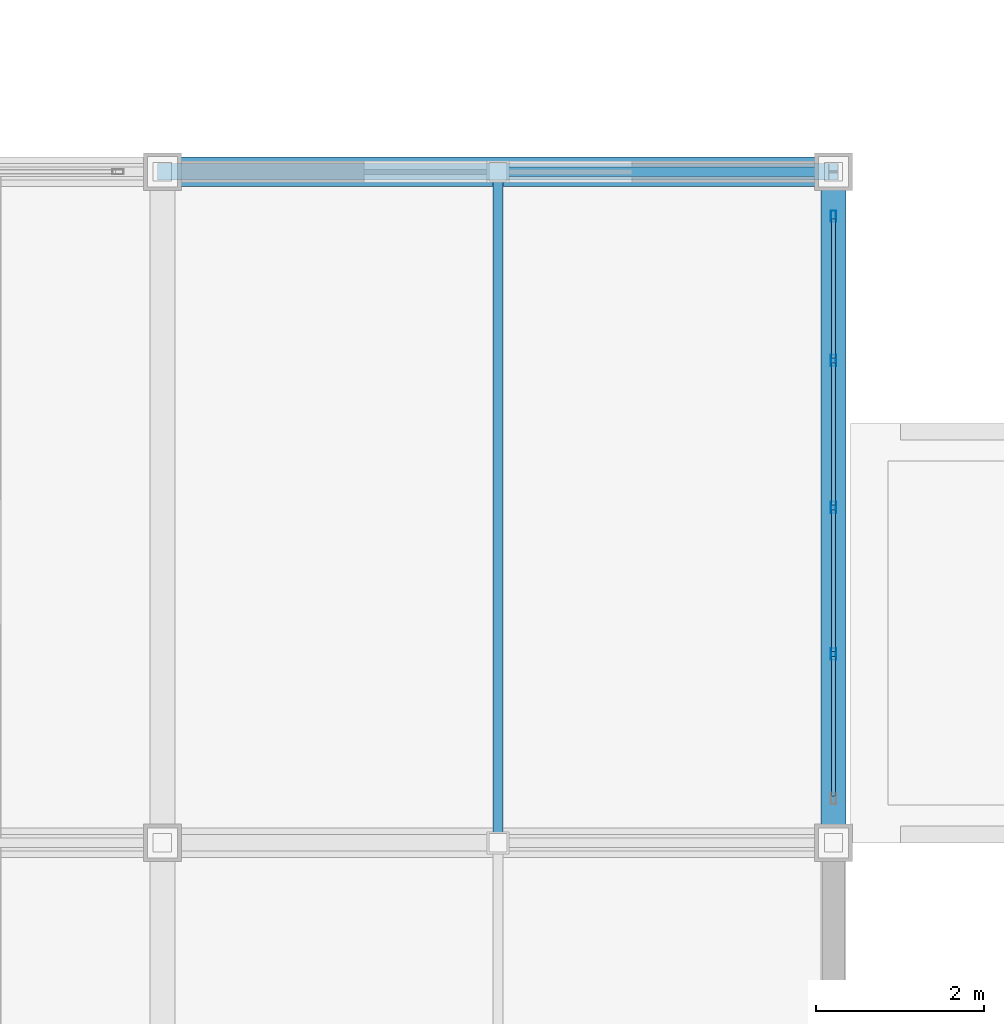
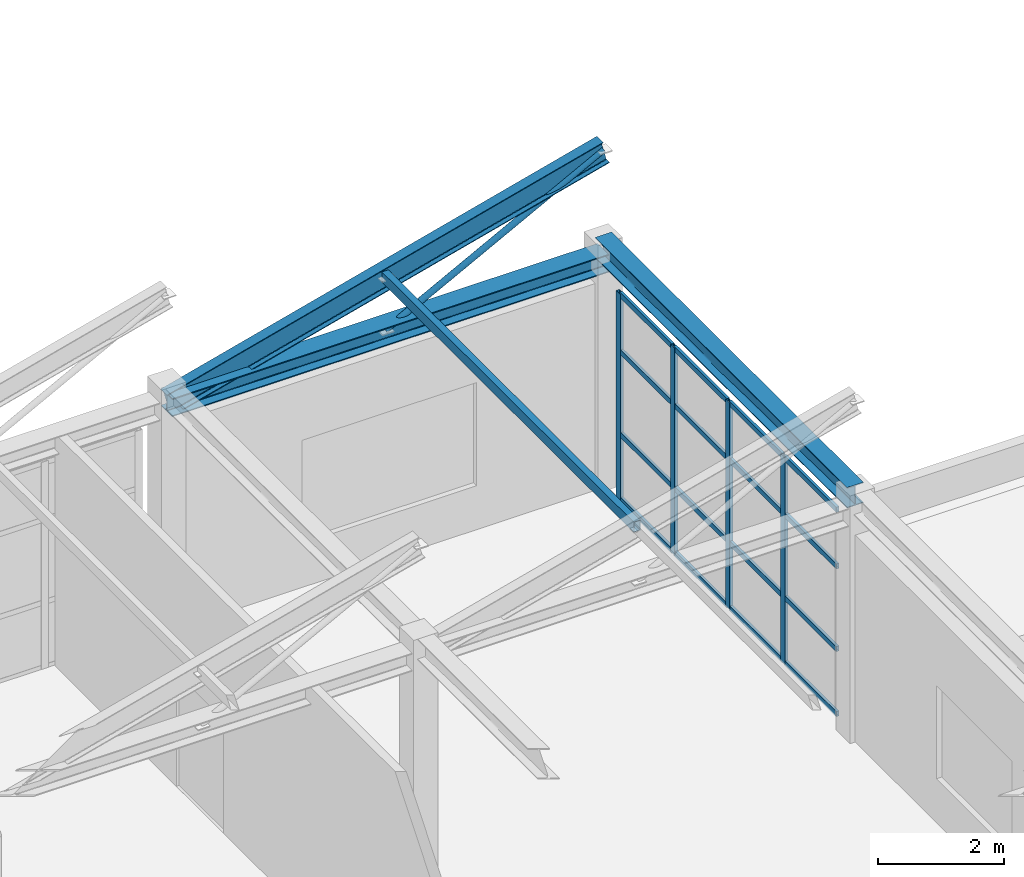
# One storey, part 9 of 63: 23 members, 2 beams, 1 element without a shape of its own.
"""IFC4 building model written with IfcOpenShell, lengths in metres."""

from ifc_helpers import new_model, si_unit, direction, frame, origin, origin_2d, place, context, subcontext, project, spatial, hollow_rectangle, hollow_circle, i_section, extrude, material, layer, layer_set, material_profile, profile_set, type_object, element, aggregate, save


model = new_model("IFC4")

# Units and contexts
model_context = context("Model", 3, precision=1e-05, world=origin(), true_north=direction((0.0, 1.0)))
body_context = subcontext(model_context, "Body", "Model", "MODEL_VIEW")
ifc_project = project(units=[si_unit("LENGTHUNIT", "METRE"), si_unit("AREAUNIT", "SQUARE_METRE"), si_unit("VOLUMEUNIT", "CUBIC_METRE"), si_unit("PLANEANGLEUNIT", "RADIAN"), si_unit("MASSUNIT", "GRAM", prefix="KILO")], contexts=[model_context])

# Site, building, storey
site_placement = place(None, origin())
site = spatial("IfcSite", under=ifc_project, at=site_placement, CompositionType="ELEMENT")
building_placement = place(site_placement, origin())
building = spatial("IfcBuilding", under=site, at=building_placement, Name="Canggui Botanical Conservatory", CompositionType="ELEMENT")
storey_placement = place(building_placement, frame((0.0, 0.0, 10.199951171875)))
storey = spatial("IfcBuildingStorey", under=building, at=storey_placement, Name="L03", CompositionType="ELEMENT", Elevation=10.199951171875)

# Beams
ifc_material_1 = material(Name="Steel Q355B", Category="steel")
ifc_material_profile_1 = material_profile(ifc_material_1, i_section(OverallWidth=0.300048828125, OverallDepth=0.39990234375, WebThickness=0.010009765625, FlangeThickness=0.01611328125, FilletRadius=0.02197265625, at=origin_2d()), Name="HM 400x300x10x16")
ifc_profile_set_1 = profile_set([ifc_material_profile_1], Name="Steel Q355B")
beam_type_1 = type_object("IfcBeamType", Name="BM-GL03", PredefinedType="BEAM", material=ifc_profile_set_1)
beam_1_placement = place(storey_placement, frame((66.0, 26.0, 4.60009765625), z_axis=(0.0, 1.0, 0.0), x_axis=(-1.0, 0.0, 0.0)))
element("IfcBeam", 1, at=beam_1_placement, inside=storey, type_object=beam_type_1, Name="Visitor Clerestory Support Girder 5-3", PredefinedType="BEAM", context=body_context, shape_type="SweptSolid", body=[
    extrude(i_section(OverallWidth=0.300048828125, OverallDepth=0.39990234375, WebThickness=0.010009765625, FlangeThickness=0.01611328125, FilletRadius=0.02197265625, at=origin_2d()), origin(), (0.0, 0.0, 1.0), 8.0),
])
ifc_material_profile_2 = material_profile(ifc_material_1, i_section(OverallWidth=0.199951171875, OverallDepth=0.449951171875, WebThickness=0.009033203125, FlangeThickness=0.013916015625, FilletRadius=0.01806640625, at=origin_2d()), Name="HN 450x200x9x14")
ifc_profile_set_2 = profile_set([ifc_material_profile_2], Name="Steel Q355B")
beam_type_2 = type_object("IfcBeamType", Name="BM-GL07", PredefinedType="BEAM", material=ifc_profile_set_2)
beam_2_placement = place(storey_placement, frame((58.0, 34.0, 4.35009765625), z_axis=(0.967235314575, 0.0, 0.253881559468), x_axis=(0.0, 1.0, 0.0)))
element("IfcBeam", 2, at=beam_2_placement, inside=storey, type_object=beam_type_2, Name="Visitor Sawtooth Steel Rafter 5-Y34", PredefinedType="BEAM", context=body_context, shape_type="SweptSolid", body=[
    extrude(i_section(OverallWidth=0.199951171875, OverallDepth=0.449951171875, WebThickness=0.009033203125, FlangeThickness=0.013916015625, FilletRadius=0.01806640625, at=origin_2d()), origin(), (0.0, 0.0, 1.0), 8.27099609375),
])

# Curtain wall, members
ifc_material_2 = material(Name="Thermally Broken Aluminium", Category="aluminium")
ifc_layer = layer(ifc_material_2, 0.135009765625, Name="Thermally Broken Aluminium", Category="aluminium")
ifc_layer_set = layer_set([ifc_layer], Name="Thermally Broken Aluminium")
curtain_wall_type = type_object("IfcCurtainWallType", Name="CW-STICK-A", PredefinedType="USERDEFINED", material=ifc_layer_set)
curtain_wall_placement = place(storey_placement, origin())
curtain_wall = element("IfcCurtainWall", 3, at=curtain_wall_placement, inside=storey, type_object=curtain_wall_type, Name="Facade Curtain Wall CW-VIS-L03-14", ObjectType="STICK GLAZED WALL", PredefinedType="USERDEFINED")
ifc_material_profile_3 = material_profile(ifc_material_2, hollow_rectangle(XDim=0.06005859375, YDim=0.135009765625, WallThickness=0.00341796875, at=origin_2d()), Name="CWM 60x135x3.5")
ifc_profile_set_3 = profile_set([ifc_material_profile_3], Name="Thermally Broken Aluminium")
member_type_1 = type_object("IfcMemberType", Name="CWM-04", PredefinedType="MULLION", material=ifc_profile_set_3)
member_1_placement = place(storey_placement, frame((66.0, 33.469970703125, 0.0), z_axis=(0.0, 0.0, 1.0), x_axis=(1.0, 0.0, 0.0)))
member_1 = element("IfcMember", 4, at=member_1_placement, type_object=member_type_1, Name="CW-04 mullion 1", PredefinedType="MULLION", context=body_context, shape_type="SweptSolid", body=[
    extrude(hollow_rectangle(XDim=0.06005859375, YDim=0.135009765625, WallThickness=0.00341796875, at=origin_2d()), origin(), (0.0, 0.0, 1.0), 4.010009765625),
])
member_2_placement = place(storey_placement, frame((66.0, 31.75, 0.0), z_axis=(0.0, 0.0, 1.0), x_axis=(1.0, 0.0, 0.0)))
member_2 = element("IfcMember", 5, at=member_2_placement, type_object=member_type_1, Name="CW-04 mullion 2", PredefinedType="MULLION", context=body_context, shape_type="SweptSolid", body=[
    extrude(hollow_rectangle(XDim=0.06005859375, YDim=0.135009765625, WallThickness=0.00341796875, at=origin_2d()), origin(), (0.0, 0.0, 1.0), 4.010009765625),
])
member_3_placement = place(storey_placement, frame((66.0, 30.0, 0.0), z_axis=(0.0, 0.0, 1.0), x_axis=(1.0, 0.0, 0.0)))
member_3 = element("IfcMember", 6, at=member_3_placement, type_object=member_type_1, Name="CW-04 mullion 3", PredefinedType="MULLION", context=body_context, shape_type="SweptSolid", body=[
    extrude(hollow_rectangle(XDim=0.06005859375, YDim=0.135009765625, WallThickness=0.00341796875, at=origin_2d()), origin(), (0.0, 0.0, 1.0), 4.010009765625),
])
member_4_placement = place(storey_placement, frame((66.0, 28.25, 0.0), z_axis=(0.0, 0.0, 1.0), x_axis=(1.0, 0.0, 0.0)))
member_4 = element("IfcMember", 7, at=member_4_placement, type_object=member_type_1, Name="CW-04 mullion 4", PredefinedType="MULLION", context=body_context, shape_type="SweptSolid", body=[
    extrude(hollow_rectangle(XDim=0.06005859375, YDim=0.135009765625, WallThickness=0.00341796875, at=origin_2d()), origin(), (0.0, 0.0, 1.0), 4.010009765625),
])
ifc_material_profile_4 = material_profile(ifc_material_2, hollow_rectangle(XDim=0.050048828125, YDim=0.10009765625, WallThickness=0.0029296875, at=origin_2d()), Name="CWT 50x100x3")
ifc_profile_set_4 = profile_set([ifc_material_profile_4], Name="Thermally Broken Aluminium")
member_type_2 = type_object("IfcMemberType", Name="CWT-04", PredefinedType="USERDEFINED", material=ifc_profile_set_4)
member_5_placement = place(storey_placement, frame((66.0, 33.43994140625, 0.025146484375), z_axis=(0.0, -1.0, 0.0), x_axis=(1.0, 0.0, 0.0)))
member_5 = element("IfcMember", 8, at=member_5_placement, type_object=member_type_2, Name="CW-04 transom 1.1", ObjectType="TRANSOM", PredefinedType="USERDEFINED", context=body_context, shape_type="SweptSolid", body=[
    extrude(hollow_rectangle(XDim=0.050048828125, YDim=0.10009765625, WallThickness=0.0029296875, at=origin_2d()), origin(), (0.0, 0.0, 1.0), 1.659912109375),
])
member_6_placement = place(storey_placement, frame((66.0, 33.43994140625, 1.283203125), z_axis=(0.0, -1.0, 0.0), x_axis=(1.0, 0.0, 0.0)))
member_6 = element("IfcMember", 9, at=member_6_placement, type_object=member_type_2, Name="CW-04 transom 1.2", ObjectType="TRANSOM", PredefinedType="USERDEFINED", context=body_context, shape_type="SweptSolid", body=[
    extrude(hollow_rectangle(XDim=0.050048828125, YDim=0.10009765625, WallThickness=0.0029296875, at=origin_2d()), origin(), (0.0, 0.0, 1.0), 1.659912109375),
])
member_7_placement = place(storey_placement, frame((66.0, 33.43994140625, 2.88720703125), z_axis=(0.0, -1.0, 0.0), x_axis=(1.0, 0.0, 0.0)))
member_7 = element("IfcMember", 10, at=member_7_placement, type_object=member_type_2, Name="CW-04 transom 1.3", ObjectType="TRANSOM", PredefinedType="USERDEFINED", context=body_context, shape_type="SweptSolid", body=[
    extrude(hollow_rectangle(XDim=0.050048828125, YDim=0.10009765625, WallThickness=0.0029296875, at=origin_2d()), origin(), (0.0, 0.0, 1.0), 1.659912109375),
])
member_8_placement = place(storey_placement, frame((66.0, 33.43994140625, 3.985107421875), z_axis=(0.0, -1.0, 0.0), x_axis=(1.0, 0.0, 0.0)))
member_8 = element("IfcMember", 11, at=member_8_placement, type_object=member_type_2, Name="CW-04 transom 1.4", ObjectType="TRANSOM", PredefinedType="USERDEFINED", context=body_context, shape_type="SweptSolid", body=[
    extrude(hollow_rectangle(XDim=0.050048828125, YDim=0.10009765625, WallThickness=0.0029296875, at=origin_2d()), origin(), (0.0, 0.0, 1.0), 1.659912109375),
])
member_9_placement = place(storey_placement, frame((66.0, 31.719970703125, 0.025146484375), z_axis=(0.0, -1.0, 0.0), x_axis=(1.0, 0.0, 0.0)))
member_9 = element("IfcMember", 12, at=member_9_placement, type_object=member_type_2, Name="CW-04 transom 2.1", ObjectType="TRANSOM", PredefinedType="USERDEFINED", context=body_context, shape_type="SweptSolid", body=[
    extrude(hollow_rectangle(XDim=0.050048828125, YDim=0.10009765625, WallThickness=0.0029296875, at=origin_2d()), origin(), (0.0, 0.0, 1.0), 1.68994140625),
])
member_10_placement = place(storey_placement, frame((66.0, 31.719970703125, 1.283203125), z_axis=(0.0, -1.0, 0.0), x_axis=(1.0, 0.0, 0.0)))
member_10 = element("IfcMember", 13, at=member_10_placement, type_object=member_type_2, Name="CW-04 transom 2.2", ObjectType="TRANSOM", PredefinedType="USERDEFINED", context=body_context, shape_type="SweptSolid", body=[
    extrude(hollow_rectangle(XDim=0.050048828125, YDim=0.10009765625, WallThickness=0.0029296875, at=origin_2d()), origin(), (0.0, 0.0, 1.0), 1.68994140625),
])
member_11_placement = place(storey_placement, frame((66.0, 31.719970703125, 2.88720703125), z_axis=(0.0, -1.0, 0.0), x_axis=(1.0, 0.0, 0.0)))
member_11 = element("IfcMember", 14, at=member_11_placement, type_object=member_type_2, Name="CW-04 transom 2.3", ObjectType="TRANSOM", PredefinedType="USERDEFINED", context=body_context, shape_type="SweptSolid", body=[
    extrude(hollow_rectangle(XDim=0.050048828125, YDim=0.10009765625, WallThickness=0.0029296875, at=origin_2d()), origin(), (0.0, 0.0, 1.0), 1.68994140625),
])
member_12_placement = place(storey_placement, frame((66.0, 31.719970703125, 3.985107421875), z_axis=(0.0, -1.0, 0.0), x_axis=(1.0, 0.0, 0.0)))
member_12 = element("IfcMember", 15, at=member_12_placement, type_object=member_type_2, Name="CW-04 transom 2.4", ObjectType="TRANSOM", PredefinedType="USERDEFINED", context=body_context, shape_type="SweptSolid", body=[
    extrude(hollow_rectangle(XDim=0.050048828125, YDim=0.10009765625, WallThickness=0.0029296875, at=origin_2d()), origin(), (0.0, 0.0, 1.0), 1.68994140625),
])
member_13_placement = place(storey_placement, frame((66.0, 29.969970703125, 0.025146484375), z_axis=(0.0, -1.0, 0.0), x_axis=(1.0, 0.0, 0.0)))
member_13 = element("IfcMember", 16, at=member_13_placement, type_object=member_type_2, Name="CW-04 transom 3.1", ObjectType="TRANSOM", PredefinedType="USERDEFINED", context=body_context, shape_type="SweptSolid", body=[
    extrude(hollow_rectangle(XDim=0.050048828125, YDim=0.10009765625, WallThickness=0.0029296875, at=origin_2d()), origin(), (0.0, 0.0, 1.0), 1.68994140625),
])
member_14_placement = place(storey_placement, frame((66.0, 29.969970703125, 1.283203125), z_axis=(0.0, -1.0, 0.0), x_axis=(1.0, 0.0, 0.0)))
member_14 = element("IfcMember", 17, at=member_14_placement, type_object=member_type_2, Name="CW-04 transom 3.2", ObjectType="TRANSOM", PredefinedType="USERDEFINED", context=body_context, shape_type="SweptSolid", body=[
    extrude(hollow_rectangle(XDim=0.050048828125, YDim=0.10009765625, WallThickness=0.0029296875, at=origin_2d()), origin(), (0.0, 0.0, 1.0), 1.68994140625),
])
member_15_placement = place(storey_placement, frame((66.0, 29.969970703125, 2.88720703125), z_axis=(0.0, -1.0, 0.0), x_axis=(1.0, 0.0, 0.0)))
member_15 = element("IfcMember", 18, at=member_15_placement, type_object=member_type_2, Name="CW-04 transom 3.3", ObjectType="TRANSOM", PredefinedType="USERDEFINED", context=body_context, shape_type="SweptSolid", body=[
    extrude(hollow_rectangle(XDim=0.050048828125, YDim=0.10009765625, WallThickness=0.0029296875, at=origin_2d()), origin(), (0.0, 0.0, 1.0), 1.68994140625),
])
member_16_placement = place(storey_placement, frame((66.0, 29.969970703125, 3.985107421875), z_axis=(0.0, -1.0, 0.0), x_axis=(1.0, 0.0, 0.0)))
member_16 = element("IfcMember", 19, at=member_16_placement, type_object=member_type_2, Name="CW-04 transom 3.4", ObjectType="TRANSOM", PredefinedType="USERDEFINED", context=body_context, shape_type="SweptSolid", body=[
    extrude(hollow_rectangle(XDim=0.050048828125, YDim=0.10009765625, WallThickness=0.0029296875, at=origin_2d()), origin(), (0.0, 0.0, 1.0), 1.68994140625),
])
member_17_placement = place(storey_placement, frame((66.0, 28.219970703125, 0.025146484375), z_axis=(0.0, -1.0, 0.0), x_axis=(1.0, 0.0, 0.0)))
member_17 = element("IfcMember", 20, at=member_17_placement, type_object=member_type_2, Name="CW-04 transom 4.1", ObjectType="TRANSOM", PredefinedType="USERDEFINED", context=body_context, shape_type="SweptSolid", body=[
    extrude(hollow_rectangle(XDim=0.050048828125, YDim=0.10009765625, WallThickness=0.0029296875, at=origin_2d()), origin(), (0.0, 0.0, 1.0), 1.659912109375),
])
member_18_placement = place(storey_placement, frame((66.0, 28.219970703125, 1.283203125), z_axis=(0.0, -1.0, 0.0), x_axis=(1.0, 0.0, 0.0)))
member_18 = element("IfcMember", 21, at=member_18_placement, type_object=member_type_2, Name="CW-04 transom 4.2", ObjectType="TRANSOM", PredefinedType="USERDEFINED", context=body_context, shape_type="SweptSolid", body=[
    extrude(hollow_rectangle(XDim=0.050048828125, YDim=0.10009765625, WallThickness=0.0029296875, at=origin_2d()), origin(), (0.0, 0.0, 1.0), 1.659912109375),
])
member_19_placement = place(storey_placement, frame((66.0, 28.219970703125, 2.88720703125), z_axis=(0.0, -1.0, 0.0), x_axis=(1.0, 0.0, 0.0)))
member_19 = element("IfcMember", 22, at=member_19_placement, type_object=member_type_2, Name="CW-04 transom 4.3", ObjectType="TRANSOM", PredefinedType="USERDEFINED", context=body_context, shape_type="SweptSolid", body=[
    extrude(hollow_rectangle(XDim=0.050048828125, YDim=0.10009765625, WallThickness=0.0029296875, at=origin_2d()), origin(), (0.0, 0.0, 1.0), 1.659912109375),
])
member_20_placement = place(storey_placement, frame((66.0, 28.219970703125, 3.985107421875), z_axis=(0.0, -1.0, 0.0), x_axis=(1.0, 0.0, 0.0)))
member_20 = element("IfcMember", 23, at=member_20_placement, type_object=member_type_2, Name="CW-04 transom 4.4", ObjectType="TRANSOM", PredefinedType="USERDEFINED", context=body_context, shape_type="SweptSolid", body=[
    extrude(hollow_rectangle(XDim=0.050048828125, YDim=0.10009765625, WallThickness=0.0029296875, at=origin_2d()), origin(), (0.0, 0.0, 1.0), 1.659912109375),
])
aggregate(curtain_wall, [member_1, member_2, member_3, member_4, member_5, member_6, member_7, member_8, member_9, member_10, member_11, member_12, member_13, member_14, member_15, member_16, member_17, member_18, member_19, member_20])

# Members
ifc_material_profile_5 = material_profile(ifc_material_1, hollow_rectangle(XDim=0.1201171875, YDim=0.199951171875, WallThickness=0.008056640625, at=origin_2d()), Name="RHS 120x200x8")
ifc_profile_set_5 = profile_set([ifc_material_profile_5], Name="Steel Q355B")
member_type_3 = type_object("IfcMemberType", Name="MEM-PUR02", PredefinedType="PURLIN", material=ifc_profile_set_5)
member_21_placement = place(storey_placement, frame((62.0, 26.0, 5.400146484375), z_axis=(0.0, 1.0, 0.0), x_axis=(-1.0, 0.0, 0.0)))
element("IfcMember", 24, at=member_21_placement, inside=storey, type_object=member_type_3, Name="Visitor Sawtooth Roof Purlin 5-3", PredefinedType="PURLIN", context=body_context, shape_type="SweptSolid", body=[
    extrude(hollow_rectangle(XDim=0.1201171875, YDim=0.199951171875, WallThickness=0.008056640625, at=origin_2d()), origin(), (0.0, 0.0, 1.0), 8.0),
])
ifc_material_profile_6 = material_profile(ifc_material_1, i_section(OverallWidth=0.35009765625, OverallDepth=0.35009765625, WebThickness=0.011962890625, FlangeThickness=0.01904296875, FilletRadius=0.02001953125, at=origin_2d()), Name="HW 350x350x12x19")
ifc_profile_set_6 = profile_set([ifc_material_profile_6], Name="Steel Q355B")
member_type_4 = type_object("IfcMemberType", Name="MEM-TC09", PredefinedType="CHORD", material=ifc_profile_set_6)
member_22_placement = place(storey_placement, frame((58.0, 34.0, 4.35009765625), z_axis=(1.0, 0.0, 0.0), x_axis=(0.0, 1.0, 0.0)))
element("IfcMember", 25, at=member_22_placement, inside=storey, type_object=member_type_4, Name="Visitor Sawtooth Truss Tie Chord 5-Y34", PredefinedType="CHORD", context=body_context, shape_type="SweptSolid", body=[
    extrude(i_section(OverallWidth=0.35009765625, OverallDepth=0.35009765625, WebThickness=0.011962890625, FlangeThickness=0.01904296875, FilletRadius=0.02001953125, at=origin_2d()), origin(), (0.0, 0.0, 1.0), 8.0),
])
ifc_material_profile_7 = material_profile(ifc_material_1, hollow_circle(Radius=0.056884765625, WallThickness=0.006103515625, at=origin_2d()), Name="CHS 114x6")
ifc_profile_set_7 = profile_set([ifc_material_profile_7], Name="Steel Q355B")
member_type_5 = type_object("IfcMemberType", Name="MEM-TW03", PredefinedType="BRACE", material=ifc_profile_set_7)
member_23_placement = place(storey_placement, frame((62.0, 34.0, 4.35009765625), z_axis=(0.88541124729, 0.0, 0.464808480099), x_axis=(0.0, 1.0, 0.0)))
element("IfcMember", 26, at=member_23_placement, inside=storey, type_object=member_type_5, Name="Visitor Sawtooth Truss Diagonal 5-Y34", PredefinedType="BRACE", context=body_context, shape_type="SweptSolid", body=[
    extrude(hollow_circle(Radius=0.056884765625, WallThickness=0.006103515625, at=origin_2d()), origin(), (0.0, 0.0, 1.0), 4.517578125),
])

save(model, "model.ifc")
